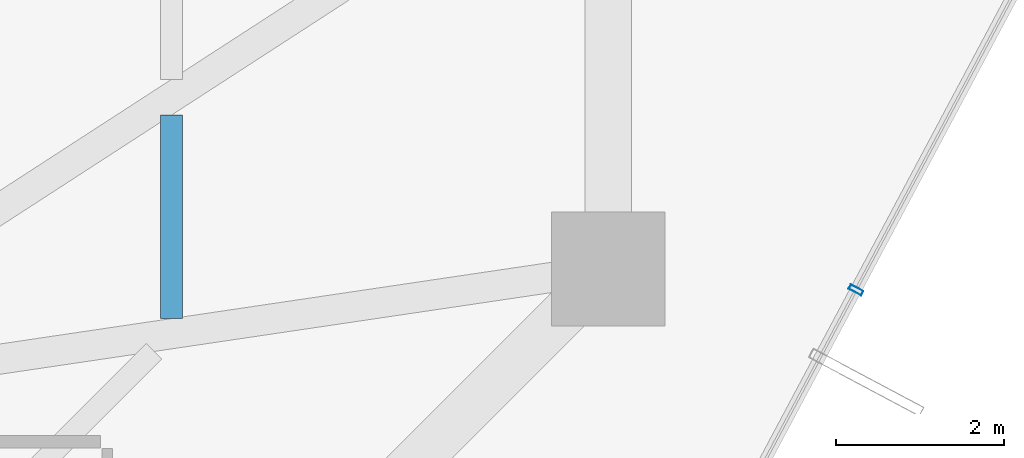
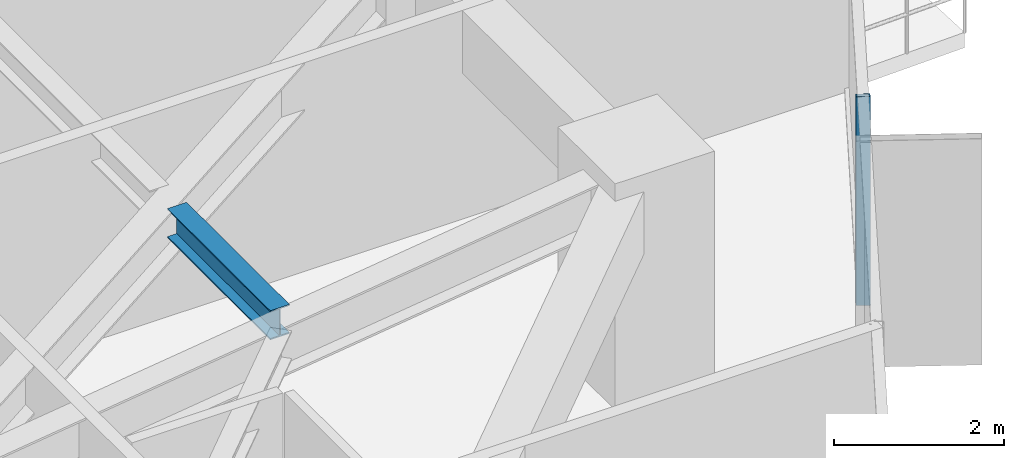
# One storey, part 18 of 39: 1 beam, 1 member, 1 element without a shape of its own.
"""IFC4 building model written with IfcOpenShell, lengths in metres."""

from ifc_helpers import new_model, si_unit, direction, frame, origin, origin_2d, place, context, subcontext, project, spatial, hollow_rectangle, i_section, extrude, source, transform, mapped, material, layer, layer_set, material_profile, profile_set, type_object, element, aggregate, save


model = new_model("IFC4")

# Units and contexts
model_context = context("Model", 3, precision=1e-05, world=origin(), true_north=direction((0.0, 1.0)))
body_context = subcontext(model_context, "Body", "Model", "MODEL_VIEW")
ifc_project = project(units=[si_unit("LENGTHUNIT", "METRE"), si_unit("AREAUNIT", "SQUARE_METRE"), si_unit("VOLUMEUNIT", "CUBIC_METRE"), si_unit("PLANEANGLEUNIT", "RADIAN"), si_unit("MASSUNIT", "GRAM", prefix="KILO")], contexts=[model_context])

# Site, building, storey
site_placement = place(None, origin())
site = spatial("IfcSite", under=ifc_project, at=site_placement, CompositionType="ELEMENT")
building_placement = place(site_placement, origin())
building = spatial("IfcBuilding", under=site, at=building_placement, Name="Veraguas Prism Commons", CompositionType="ELEMENT")
storey_placement = place(building_placement, frame((0.0, 0.0, 30.550048828125)))
storey = spatial("IfcBuildingStorey", under=building, at=storey_placement, Name="L07", CompositionType="ELEMENT", Elevation=30.550048828125)

# Beam
ifc_material_1 = material(Name="Steel ASTM A992 Grade 50", Category="steel")
ifc_material_profile_1 = material_profile(ifc_material_1, i_section(OverallWidth=0.260986328125, OverallDepth=0.419921875, WebThickness=0.01171875, FlangeThickness=0.019287109375, at=origin_2d()), Name="W410X114")
ifc_profile_set_1 = profile_set([ifc_material_profile_1], Name="Steel ASTM A992 Grade 50")
beam_type = type_object("IfcBeamType", Name="Lower Floor Joist W410x114", PredefinedType="JOIST", material=ifc_profile_set_1)
beam_placement = place(storey_placement, frame((36.416015625, 18.010009765625, 2.7900390625), z_axis=(0.0, 1.0, 0.0), x_axis=(-1.0, 0.0, 0.0)))
element("IfcBeam", 1, at=beam_placement, inside=storey, type_object=beam_type, Name="Composite Floor Joist L07-JS01", PredefinedType="JOIST", context=body_context, shape_type="SweptSolid", body=[
    extrude(i_section(OverallWidth=0.260986328125, OverallDepth=0.419921875, WebThickness=0.01171875, FlangeThickness=0.019287109375, at=origin_2d()), origin(), (0.0, 0.0, 1.0), 2.42041015625),
])

# Curtain wall, member
ifc_material_2 = material(Name="Anodised aluminium EN AW-6063 T6", Category="aluminium")
ifc_layer = layer(ifc_material_2, 0.169921875, Name="Unitised Flush Curtain Wall Zone 1", Category="aluminium")
ifc_layer_set = layer_set([ifc_layer], Name="Anodised aluminium EN AW-6063 T6")
curtain_wall_type = type_object("IfcCurtainWallType", Name="Unitised Flush Curtain Wall Zone 1", PredefinedType="NOTDEFINED", material=ifc_layer_set)
curtain_wall_placement = place(storey_placement, origin())
curtain_wall = element("IfcCurtainWall", 2, at=curtain_wall_placement, inside=storey, type_object=curtain_wall_type, Name="Tower Facade Curtain Wall L07-F6", PredefinedType="NOTDEFINED")
ifc_material_profile_2 = material_profile(ifc_material_2, hollow_rectangle(XDim=0.06005859375, YDim=0.169921875, WallThickness=0.00390625, at=origin_2d()), Name="AL60X170X4")
ifc_profile_set_2 = profile_set([ifc_material_profile_2], Name="Anodised aluminium EN AW-6063 T6")
member_type = type_object("IfcMemberType", Name="Curtain Wall Mullion Lower AL 60x170x4", PredefinedType="MULLION", material=ifc_profile_set_2)
shared_shape = source(origin(), body_context, "Body", "SweptSolid", [
    extrude(hollow_rectangle(XDim=0.06005859375, YDim=0.169921875, WallThickness=0.00390625, at=origin_2d()), origin(), (0.0, 0.0, 1.0), 3.0),
])
member_placement = place(storey_placement, frame((44.540771484375, 18.35205078125, 0.0), z_axis=(0.0, 0.0, 1.0), x_axis=(0.470089402494, 0.882618804277, 0.0)))
member = element("IfcMember", 3, at=member_placement, type_object=member_type, Name="CW-Z1 Mullion 4", PredefinedType="MULLION", context=body_context, shape_type="MappedRepresentation", body=[
    mapped(shared_shape, transform((0.0, 0.0, 0.0), scale=1.0)),
])
aggregate(curtain_wall, [member])

save(model, "model.ifc")
